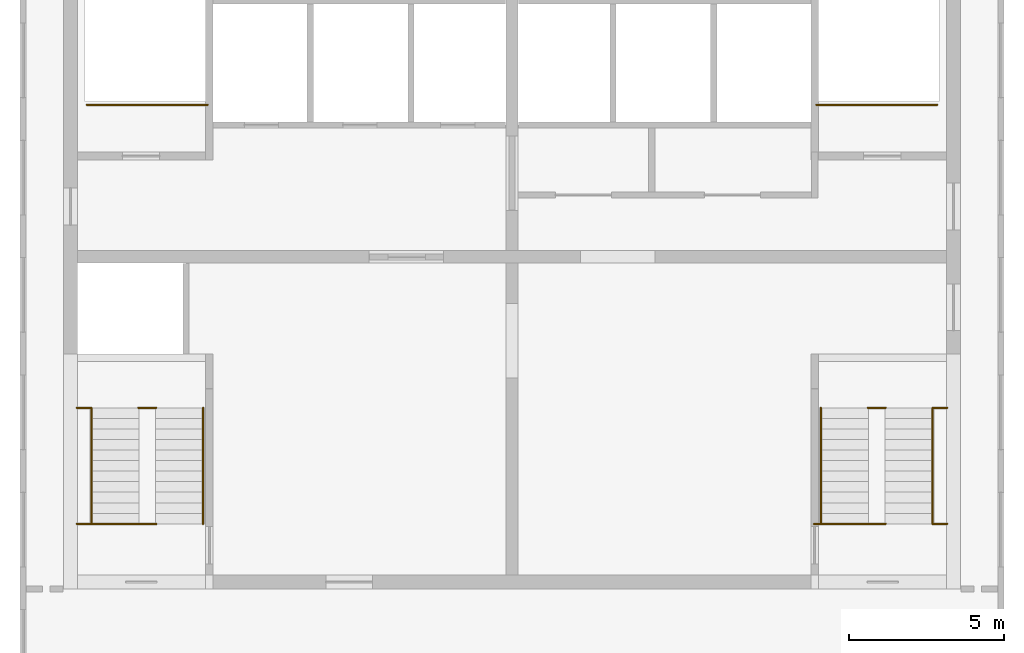
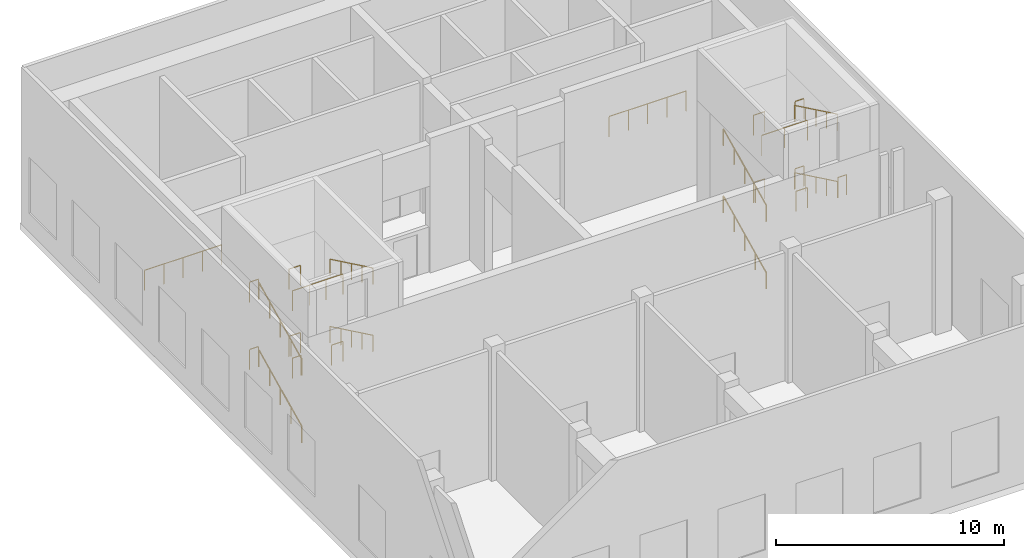
# One storey, part 5 of 5: 24 railings.
"""IFC4 building model written with IfcOpenShell, lengths in metres."""

import ifcopenshell
import ifcopenshell.guid

model = None  # the IFC model being written
_history = None  # IfcOwnerHistory: only IFC2X3 demands one
_inside = {}  # id of a spatial element -> (the spatial element, [elements in it])
_under = {}  # id of a project, library or spatial element -> (it, [spatial elements below it])
_declared = {}  # id of a project -> (the project, [libraries it declares])
_typed = {}  # id of a type object -> (the type object, [elements of that type])
_made_of = {}  # id of a material, layer set ... -> (it, [elements and type objects made of it])


def new_model(schema):
    """Start an empty IFC model of exactly this schema.

    Asked for "IFC4X3", IfcOpenShell would pick the latest addendum, in which some entities
    have other attributes; the version numbers below select the first issue.
    IFC2X3 requires an IfcOwnerHistory on every rooted entity: one is made here for all.
    """
    global model, _history
    if schema == "IFC4X3":
        model = ifcopenshell.file(schema_version=(4, 3, 0, 0))
    else:
        model = ifcopenshell.file(schema=schema)
    _inside.clear()
    _under.clear()
    _declared.clear()
    _typed.clear()
    _made_of.clear()
    _history = None
    if model.schema == "IFC2X3":
        org = make("IfcOrganization", Name="unknown")
        user = make(
            "IfcPersonAndOrganization",
            ThePerson=make("IfcPerson", FamilyName="unknown"),
            TheOrganization=org,
        )
        app = make(
            "IfcApplication",
            ApplicationDeveloper=org,
            Version="unknown",
            ApplicationFullName="unknown",
            ApplicationIdentifier="unknown",
        )
        _history = make(
            "IfcOwnerHistory",
            OwningUser=user,
            OwningApplication=app,
            ChangeAction="ADDED",
            CreationDate=0,
        )
    return model


def make(cls, **values):
    """One entity of the class cls with the attributes given. An attribute that is None is left unset."""
    return model.create_entity(
        cls, **{name: value for name, value in values.items() if value is not None}
    )


def rooted(cls, **values):
    """An entity with a GlobalId (a new one), such as an element, a storey or a relation."""
    return make(cls, GlobalId=ifcopenshell.guid.new(), OwnerHistory=_history, **values)


def si_unit(unit_type, name, prefix=None):
    """IfcSIUnit, for example si_unit("LENGTHUNIT", "METRE", prefix="MILLI")."""
    return make("IfcSIUnit", UnitType=unit_type, Prefix=prefix, Name=name)


def assignment(units):
    """IfcUnitAssignment: the units of a project."""
    return None if units is None else make("IfcUnitAssignment", Units=units)


def point(xyz):
    """IfcCartesianPoint."""
    return None if xyz is None else make("IfcCartesianPoint", Coordinates=xyz)


def direction(xyz):
    """IfcDirection."""
    return None if xyz is None else make("IfcDirection", DirectionRatios=xyz)


def frame(location, z_axis=None, x_axis=None):
    """IfcAxis2Placement3D, a coordinate frame: its origin and axes. An axis left out is left unset."""
    return make(
        "IfcAxis2Placement3D",
        Location=point(location),
        Axis=direction(z_axis),
        RefDirection=direction(x_axis),
    )


def frame_2d(location, x_axis=None):
    """IfcAxis2Placement2D, a coordinate frame in the plane: its origin and x axis."""
    return make(
        "IfcAxis2Placement2D", Location=point(location), RefDirection=direction(x_axis)
    )


def origin():
    """The frame at (0, 0, 0) with its axes left unset."""
    return frame((0.0, 0.0, 0.0))


def origin_2d():
    """The frame at (0, 0) in the plane with its x axis left unset."""
    return frame_2d((0.0, 0.0))


def place(relative_to, where):
    """IfcLocalPlacement: puts the frame where relative to a parent placement (None: the world)."""
    return make(
        "IfcLocalPlacement", PlacementRelTo=relative_to, RelativePlacement=where
    )


def context(
    kind, dimensions, precision=None, world=None, true_north=None, identifier=None
):
    """IfcGeometricRepresentationContext, for example the 3D "Model" context."""
    return make(
        "IfcGeometricRepresentationContext",
        ContextIdentifier=identifier,
        ContextType=kind,
        CoordinateSpaceDimension=dimensions,
        Precision=precision,
        WorldCoordinateSystem=world,
        TrueNorth=true_north,
    )


def subcontext(parent, identifier, kind, view, scale=None):
    """IfcGeometricRepresentationSubContext, for example "Body" below "Model"."""
    return make(
        "IfcGeometricRepresentationSubContext",
        ContextIdentifier=identifier,
        ContextType=kind,
        ParentContext=parent,
        TargetScale=scale,
        TargetView=view,
    )


def project(units=None, contexts=None):
    """IfcProject with its units and contexts."""
    return rooted(
        "IfcProject",
        Name="project",
        RepresentationContexts=contexts,
        UnitsInContext=assignment(units),
    )


def spatial(cls, under=None, at=None, **own):
    """A site, building, storey or space (cls), placed at a placement, below another one or the project."""
    s = rooted(cls, ObjectPlacement=at, **own)
    if under is not None:
        _under.setdefault(under.id(), (under, []))[1].append(s)
    return s


def profile(cls, at=None, kind="AREA", **sizes):
    """A parametric profile (cls). Its sizes go by their IFC names, for example OverallWidth=200.0."""
    return make(cls, ProfileType=kind, Position=at, **sizes)


def circle(**sizes):
    """IfcCircleProfileDef."""
    return profile("IfcCircleProfileDef", **sizes)


def extrude(swept, where, along, depth):
    """IfcExtrudedAreaSolid: the profile swept, set in the frame where, extruded along a direction by depth."""
    return make(
        "IfcExtrudedAreaSolid",
        SweptArea=swept,
        Position=where,
        ExtrudedDirection=direction(along),
        Depth=depth,
    )


def shape(context_of_items, identifier, shape_type, items):
    """IfcShapeRepresentation: the items that make up one representation, for example the "Body"."""
    return make(
        "IfcShapeRepresentation",
        ContextOfItems=context_of_items,
        RepresentationIdentifier=identifier,
        RepresentationType=shape_type,
        Items=items,
    )


def material(Name=None, Category=None):
    """IfcMaterial."""
    return make("IfcMaterial", Name=Name, Category=Category)


def made_of(thing, what):
    """Note that an element or type object is made of a material, layer set ...; save() writes the relation."""
    if what is not None:
        _made_of.setdefault(what.id(), (what, []))[1].append(thing)
    return thing


def type_object(cls, material=None, **own):
    """A type object (cls), such as IfcWallType, which elements share."""
    return made_of(rooted(cls, **own), material)


def element(
    cls,
    number,
    at=None,
    inside=None,
    cuts=None,
    type_object=None,
    material=None,
    context=None,
    identifier="Body",
    shape_type=None,
    held_by="IfcProductDefinitionShape",
    body=None,
    shapes=None,
    **own,
):
    """One element of the class cls, such as IfcWall. Its Tag is "e" and its number.

    at: its placement. inside: the storey or other place that contains it. cuts: it is an
    opening in that element (IfcRelVoidsElement). A single representation is given by context,
    identifier, shape_type and body (its items); several are given by shapes. held_by: the class
    of the entity that holds the representations. save() writes the other relations.
    """
    e = rooted(cls, Tag="e%d" % number, ObjectPlacement=at, **own)
    if body is not None:
        shapes = [shape(context, identifier, shape_type, body)]
    if shapes is not None:
        e.Representation = make(held_by, Representations=shapes)
    if inside is not None:
        _inside.setdefault(inside.id(), (inside, []))[1].append(e)
    if cuts is not None:
        rooted(
            "IfcRelVoidsElement", RelatingBuildingElement=cuts, RelatedOpeningElement=e
        )
    if type_object is not None:
        _typed.setdefault(type_object.id(), (type_object, []))[1].append(e)
    return made_of(e, material)


def aggregate(whole, parts):
    """IfcRelAggregates: a whole, such as a stair, and the parts it consists of."""
    return rooted("IfcRelAggregates", RelatingObject=whole, RelatedObjects=parts)


def save(model, path):
    """Write the relations noted so far, then the file.

    IfcRelAggregates (storeys below a building ...), IfcRelContainedInSpatialStructure (elements
    in a storey), IfcRelDefinesByType, IfcRelAssociatesMaterial and IfcRelDeclares: one each for
    every whole, place, type object, material and project.
    """
    for whole, parts in _under.values():
        aggregate(whole, parts)
    for where, things in _inside.values():
        rooted(
            "IfcRelContainedInSpatialStructure",
            RelatedElements=things,
            RelatingStructure=where,
        )
    for kind, things in _typed.values():
        rooted("IfcRelDefinesByType", RelatedObjects=things, RelatingType=kind)
    for what, things in _made_of.values():
        rooted("IfcRelAssociatesMaterial", RelatedObjects=things, RelatingMaterial=what)
    for by, libraries in _declared.values():
        rooted("IfcRelDeclares", RelatingContext=by, RelatedDefinitions=libraries)
    model.write(path)


model = new_model("IFC4")

# Units and contexts
model_context = context("Model", 3, precision=1e-05, world=origin(), true_north=direction((0.0, 1.0)))
body_context = subcontext(model_context, "Body", "Model", "MODEL_VIEW")
ifc_project = project(units=[si_unit("LENGTHUNIT", "METRE"), si_unit("AREAUNIT", "SQUARE_METRE"), si_unit("VOLUMEUNIT", "CUBIC_METRE"), si_unit("PLANEANGLEUNIT", "RADIAN"), si_unit("MASSUNIT", "GRAM", prefix="KILO")], contexts=[model_context])

# Site, building, storey
site_placement = place(None, origin())
site = spatial("IfcSite", under=ifc_project, at=site_placement, CompositionType="ELEMENT")
building_placement = place(site_placement, origin())
building = spatial("IfcBuilding", under=site, at=building_placement, Name="Pilkhan Gate Tower", CompositionType="ELEMENT")
storey_placement = place(building_placement, frame((0.0, 0.0, 292.699951171875)))
storey = spatial("IfcBuildingStorey", under=building, at=storey_placement, Name="RF", CompositionType="ELEMENT", Elevation=292.699951171875)

# Railings
ifc_material_1 = material(Name="Black powder-coated steel tube", Category="steel")
railing_type_1 = type_object("IfcRailingType", Name="Stair handrail HR1", PredefinedType="HANDRAIL", material=ifc_material_1)
railing_1_placement = place(storey_placement, frame((84.949951171875, 73.89990234375, 0.0)))
element("IfcRailing", 1, at=railing_1_placement, inside=storey, type_object=railing_type_1, Name="Stair ST1 handrail RF", PredefinedType="HANDRAIL", context=body_context, shape_type="SweptSolid", body=[
    extrude(circle(Radius=0.02392578125, at=origin_2d()), frame((0.0, 0.0, 0.8759765625), z_axis=(0.0, 0.901066375035, 0.433681205244), x_axis=(-1.0, 0.0, 0.0)), (0.0, 0.0, 1.0), 4.150634765625),
    extrude(circle(Radius=0.02099609375, at=origin_2d()), origin(), (0.0, 0.0, 1.0), 0.851806640625),
    extrude(circle(Radius=0.02099609375, at=origin_2d()), frame((0.0, 0.93505859375, 0.449951171875)), (0.0, 0.0, 1.0), 0.851806640625),
    extrude(circle(Radius=0.02099609375, at=origin_2d()), frame((0.0, 1.8701171875, 0.89990234375)), (0.0, 0.0, 1.0), 0.851806640625),
    extrude(circle(Radius=0.02099609375, at=origin_2d()), frame((0.0, 2.804931640625, 1.35009765625)), (0.0, 0.0, 1.0), 0.851806640625),
    extrude(circle(Radius=0.02099609375, at=origin_2d()), frame((0.0, 3.739990234375, 1.800048828125)), (0.0, 0.0, 1.0), 0.851806640625),
])
railing_2_placement = place(storey_placement, frame((88.550048828125, 77.639892578125, 1.800048828125)))
element("IfcRailing", 2, at=railing_2_placement, inside=storey, type_object=railing_type_1, Name="Stair ST1 handrail RF", PredefinedType="HANDRAIL", context=body_context, shape_type="SweptSolid", body=[
    extrude(circle(Radius=0.02392578125, at=origin_2d()), frame((0.0, 0.0, 0.8759765625), z_axis=(0.0, -0.901066375035, 0.433681205244), x_axis=(1.0, 0.0, 0.0)), (0.0, 0.0, 1.0), 4.150634765625),
    extrude(circle(Radius=0.02099609375, at=origin_2d()), origin(), (0.0, 0.0, 1.0), 0.851806640625),
    extrude(circle(Radius=0.02099609375, at=origin_2d()), frame((0.0, -0.93505859375, 0.449951171875)), (0.0, 0.0, 1.0), 0.851806640625),
    extrude(circle(Radius=0.02099609375, at=origin_2d()), frame((0.0, -1.8701171875, 0.89990234375)), (0.0, 0.0, 1.0), 0.851806640625),
    extrude(circle(Radius=0.02099609375, at=origin_2d()), frame((0.0, -2.804931640625, 1.35009765625)), (0.0, 0.0, 1.0), 0.851806640625),
    extrude(circle(Radius=0.02099609375, at=origin_2d()), frame((0.0, -3.739990234375, 1.800048828125)), (0.0, 0.0, 1.0), 0.851806640625),
])
railing_3_placement = place(storey_placement, frame((84.949951171875, 73.89990234375, 3.60009765625)))
element("IfcRailing", 3, at=railing_3_placement, inside=storey, type_object=railing_type_1, Name="Stair ST1 handrail RF", PredefinedType="HANDRAIL", context=body_context, shape_type="SweptSolid", body=[
    extrude(circle(Radius=0.02392578125, at=origin_2d()), frame((0.0, 0.0, 0.8759765625), z_axis=(0.0, 0.901066375035, 0.433681205244), x_axis=(-1.0, 0.0, 0.0)), (0.0, 0.0, 1.0), 4.150634765625),
    extrude(circle(Radius=0.02099609375, at=origin_2d()), origin(), (0.0, 0.0, 1.0), 0.851806640625),
    extrude(circle(Radius=0.02099609375, at=origin_2d()), frame((0.0, 0.93505859375, 0.449951171875)), (0.0, 0.0, 1.0), 0.851806640625),
    extrude(circle(Radius=0.02099609375, at=origin_2d()), frame((0.0, 1.8701171875, 0.89990234375)), (0.0, 0.0, 1.0), 0.851806640625),
    extrude(circle(Radius=0.02099609375, at=origin_2d()), frame((0.0, 2.804931640625, 1.35009765625)), (0.0, 0.0, 1.0), 0.851806640625),
    extrude(circle(Radius=0.02099609375, at=origin_2d()), frame((0.0, 3.739990234375, 1.800048828125)), (0.0, 0.0, 1.0), 0.851806640625),
])
railing_4_placement = place(storey_placement, frame((88.550048828125, 77.639892578125, 5.400146484375)))
element("IfcRailing", 4, at=railing_4_placement, inside=storey, type_object=railing_type_1, Name="Stair ST1 handrail RF", PredefinedType="HANDRAIL", context=body_context, shape_type="SweptSolid", body=[
    extrude(circle(Radius=0.02392578125, at=origin_2d()), frame((0.0, 0.0, 0.8759765625), z_axis=(0.0, -0.901089359845, 0.433633446098), x_axis=(1.0, 0.0, 0.0)), (0.0, 0.0, 1.0), 4.150634765625),
    extrude(circle(Radius=0.02099609375, at=origin_2d()), origin(), (0.0, 0.0, 1.0), 0.851806640625),
    extrude(circle(Radius=0.02099609375, at=origin_2d()), frame((0.0, -0.93505859375, 0.449951171875)), (0.0, 0.0, 1.0), 0.851806640625),
    extrude(circle(Radius=0.02099609375, at=origin_2d()), frame((0.0, -1.8701171875, 0.89990234375)), (0.0, 0.0, 1.0), 0.851806640625),
    extrude(circle(Radius=0.02099609375, at=origin_2d()), frame((0.0, -2.804931640625, 1.349853515625)), (0.0, 0.0, 1.0), 0.851806640625),
    extrude(circle(Radius=0.02099609375, at=origin_2d()), frame((0.0, -3.739990234375, 1.7998046875)), (0.0, 0.0, 1.0), 0.851806640625),
])
railing_5_placement = place(storey_placement, frame((61.449951171875, 73.89990234375, 0.0)))
element("IfcRailing", 5, at=railing_5_placement, inside=storey, type_object=railing_type_1, Name="Stair ST2 handrail RF", PredefinedType="HANDRAIL", context=body_context, shape_type="SweptSolid", body=[
    extrude(circle(Radius=0.02392578125, at=origin_2d()), frame((0.0, 0.0, 0.8759765625), z_axis=(0.0, 0.901066375035, 0.433681205244), x_axis=(-1.0, 0.0, 0.0)), (0.0, 0.0, 1.0), 4.150634765625),
    extrude(circle(Radius=0.02099609375, at=origin_2d()), origin(), (0.0, 0.0, 1.0), 0.851806640625),
    extrude(circle(Radius=0.02099609375, at=origin_2d()), frame((0.0, 0.93505859375, 0.449951171875)), (0.0, 0.0, 1.0), 0.851806640625),
    extrude(circle(Radius=0.02099609375, at=origin_2d()), frame((0.0, 1.8701171875, 0.89990234375)), (0.0, 0.0, 1.0), 0.851806640625),
    extrude(circle(Radius=0.02099609375, at=origin_2d()), frame((0.0, 2.804931640625, 1.35009765625)), (0.0, 0.0, 1.0), 0.851806640625),
    extrude(circle(Radius=0.02099609375, at=origin_2d()), frame((0.0, 3.739990234375, 1.800048828125)), (0.0, 0.0, 1.0), 0.851806640625),
])
railing_6_placement = place(storey_placement, frame((65.050048828125, 77.639892578125, 1.800048828125)))
element("IfcRailing", 6, at=railing_6_placement, inside=storey, type_object=railing_type_1, Name="Stair ST2 handrail RF", PredefinedType="HANDRAIL", context=body_context, shape_type="SweptSolid", body=[
    extrude(circle(Radius=0.02392578125, at=origin_2d()), frame((0.0, 0.0, 0.8759765625), z_axis=(0.0, -0.901066375035, 0.433681205244), x_axis=(1.0, 0.0, 0.0)), (0.0, 0.0, 1.0), 4.150634765625),
    extrude(circle(Radius=0.02099609375, at=origin_2d()), origin(), (0.0, 0.0, 1.0), 0.851806640625),
    extrude(circle(Radius=0.02099609375, at=origin_2d()), frame((0.0, -0.93505859375, 0.449951171875)), (0.0, 0.0, 1.0), 0.851806640625),
    extrude(circle(Radius=0.02099609375, at=origin_2d()), frame((0.0, -1.8701171875, 0.89990234375)), (0.0, 0.0, 1.0), 0.851806640625),
    extrude(circle(Radius=0.02099609375, at=origin_2d()), frame((0.0, -2.804931640625, 1.35009765625)), (0.0, 0.0, 1.0), 0.851806640625),
    extrude(circle(Radius=0.02099609375, at=origin_2d()), frame((0.0, -3.739990234375, 1.800048828125)), (0.0, 0.0, 1.0), 0.851806640625),
])
railing_7_placement = place(storey_placement, frame((61.449951171875, 73.89990234375, 3.60009765625)))
element("IfcRailing", 7, at=railing_7_placement, inside=storey, type_object=railing_type_1, Name="Stair ST2 handrail RF", PredefinedType="HANDRAIL", context=body_context, shape_type="SweptSolid", body=[
    extrude(circle(Radius=0.02392578125, at=origin_2d()), frame((0.0, 0.0, 0.8759765625), z_axis=(0.0, 0.901066375035, 0.433681205244), x_axis=(-1.0, 0.0, 0.0)), (0.0, 0.0, 1.0), 4.150634765625),
    extrude(circle(Radius=0.02099609375, at=origin_2d()), origin(), (0.0, 0.0, 1.0), 0.851806640625),
    extrude(circle(Radius=0.02099609375, at=origin_2d()), frame((0.0, 0.93505859375, 0.449951171875)), (0.0, 0.0, 1.0), 0.851806640625),
    extrude(circle(Radius=0.02099609375, at=origin_2d()), frame((0.0, 1.8701171875, 0.89990234375)), (0.0, 0.0, 1.0), 0.851806640625),
    extrude(circle(Radius=0.02099609375, at=origin_2d()), frame((0.0, 2.804931640625, 1.35009765625)), (0.0, 0.0, 1.0), 0.851806640625),
    extrude(circle(Radius=0.02099609375, at=origin_2d()), frame((0.0, 3.739990234375, 1.800048828125)), (0.0, 0.0, 1.0), 0.851806640625),
])
railing_8_placement = place(storey_placement, frame((65.050048828125, 77.639892578125, 5.400146484375)))
element("IfcRailing", 8, at=railing_8_placement, inside=storey, type_object=railing_type_1, Name="Stair ST2 handrail RF", PredefinedType="HANDRAIL", context=body_context, shape_type="SweptSolid", body=[
    extrude(circle(Radius=0.02392578125, at=origin_2d()), frame((0.0, 0.0, 0.8759765625), z_axis=(0.0, -0.901089359845, 0.433633446098), x_axis=(1.0, 0.0, 0.0)), (0.0, 0.0, 1.0), 4.150634765625),
    extrude(circle(Radius=0.02099609375, at=origin_2d()), origin(), (0.0, 0.0, 1.0), 0.851806640625),
    extrude(circle(Radius=0.02099609375, at=origin_2d()), frame((0.0, -0.93505859375, 0.449951171875)), (0.0, 0.0, 1.0), 0.851806640625),
    extrude(circle(Radius=0.02099609375, at=origin_2d()), frame((0.0, -1.8701171875, 0.89990234375)), (0.0, 0.0, 1.0), 0.851806640625),
    extrude(circle(Radius=0.02099609375, at=origin_2d()), frame((0.0, -2.804931640625, 1.349853515625)), (0.0, 0.0, 1.0), 0.851806640625),
    extrude(circle(Radius=0.02099609375, at=origin_2d()), frame((0.0, -3.739990234375, 1.7998046875)), (0.0, 0.0, 1.0), 0.851806640625),
])
ifc_material_2 = material(Name="Black powder-coated steel balusters", Category="steel")
railing_type_2 = type_object("IfcRailingType", Name="Stair well guard G3", PredefinedType="GUARDRAIL", material=ifc_material_2)
for number, where, name in (
    (9, (88.580078125, 77.639892578125, 1.800048828125), "Stair ST1 well guard RF"),
    (10, (88.580078125, 73.89990234375, 3.60009765625), "Stair ST1 well guard RF"),
    (11, (88.580078125, 77.639892578125, 5.400146484375), "Stair ST1 well guard RF"),
):
    element("IfcRailing", number, at=place(storey_placement, frame(where)), inside=storey, type_object=railing_type_2, Name=name, PredefinedType="GUARDRAIL", context=body_context, shape_type="SweptSolid", body=[
        extrude(circle(Radius=0.02392578125, at=origin_2d()), frame((0.0, 0.0, 1.076171875), z_axis=(1.0, 0.0, 0.0), x_axis=(0.0, 1.0, 0.0)), (0.0, 0.0, 1.0), 0.43994140625),
        extrude(circle(Radius=0.02099609375, at=origin_2d()), origin(), (0.0, 0.0, 1.0), 1.052001953125),
        extrude(circle(Radius=0.02099609375, at=origin_2d()), frame((0.43994140625, 0.0, 0.0)), (0.0, 0.0, 1.0), 1.052001953125),
    ])
for number, where, name in (
    (12, (86.4599609375, 77.639892578125, 1.800048828125), "Stair ST1 well guard RF"),
    (13, (86.4599609375, 73.89990234375, 3.60009765625), "Stair ST1 well guard RF"),
    (14, (86.4599609375, 77.639892578125, 5.400146484375), "Stair ST1 well guard RF"),
):
    element("IfcRailing", number, at=place(storey_placement, frame(where)), inside=storey, type_object=railing_type_2, Name=name, PredefinedType="GUARDRAIL", context=body_context, shape_type="SweptSolid", body=[
        extrude(circle(Radius=0.02392578125, at=origin_2d()), frame((0.0, 0.0, 1.076171875), z_axis=(1.0, 0.0, 0.0), x_axis=(0.0, 1.0, 0.0)), (0.0, 0.0, 1.0), 0.580078125),
        extrude(circle(Radius=0.02099609375, at=origin_2d()), origin(), (0.0, 0.0, 1.0), 1.052001953125),
        extrude(circle(Radius=0.02099609375, at=origin_2d()), frame((0.580078125, 0.0, 0.0)), (0.0, 0.0, 1.0), 1.052001953125),
    ])
railing_9_placement = place(storey_placement, frame((84.72998046875, 73.89990234375, 7.199951171875)))
element("IfcRailing", 15, at=railing_9_placement, inside=storey, type_object=railing_type_2, Name="Stair ST1 well guard RF", PredefinedType="GUARDRAIL", context=body_context, shape_type="SweptSolid", body=[
    extrude(circle(Radius=0.02392578125, at=origin_2d()), frame((0.0, 0.0, 1.076171875), z_axis=(1.0, 0.0, 0.0), x_axis=(0.0, 1.0, 0.0)), (0.0, 0.0, 1.0), 2.31005859375),
    extrude(circle(Radius=0.02099609375, at=origin_2d()), origin(), (0.0, 0.0, 1.0), 1.052001953125),
    extrude(circle(Radius=0.02099609375, at=origin_2d()), frame((1.155029296875, 0.0, 0.0)), (0.0, 0.0, 1.0), 1.052001953125),
    extrude(circle(Radius=0.02099609375, at=origin_2d()), frame((2.31005859375, 0.0, 0.0)), (0.0, 0.0, 1.0), 1.052001953125),
])
for number, where, name in (
    (16, (60.97998046875, 77.639892578125, 1.800048828125), "Stair ST2 well guard RF"),
    (17, (60.97998046875, 73.89990234375, 3.60009765625), "Stair ST2 well guard RF"),
    (18, (60.97998046875, 77.639892578125, 5.400146484375), "Stair ST2 well guard RF"),
):
    element("IfcRailing", number, at=place(storey_placement, frame(where)), inside=storey, type_object=railing_type_2, Name=name, PredefinedType="GUARDRAIL", context=body_context, shape_type="SweptSolid", body=[
        extrude(circle(Radius=0.02392578125, at=origin_2d()), frame((0.0, 0.0, 1.076171875), z_axis=(1.0, 0.0, 0.0), x_axis=(0.0, 1.0, 0.0)), (0.0, 0.0, 1.0), 0.43994140625),
        extrude(circle(Radius=0.02099609375, at=origin_2d()), origin(), (0.0, 0.0, 1.0), 1.052001953125),
        extrude(circle(Radius=0.02099609375, at=origin_2d()), frame((0.43994140625, 0.0, 0.0)), (0.0, 0.0, 1.0), 1.052001953125),
    ])
for number, where, name in (
    (19, (62.9599609375, 77.639892578125, 1.800048828125), "Stair ST2 well guard RF"),
    (20, (62.9599609375, 73.89990234375, 3.60009765625), "Stair ST2 well guard RF"),
    (21, (62.9599609375, 77.639892578125, 5.400146484375), "Stair ST2 well guard RF"),
):
    element("IfcRailing", number, at=place(storey_placement, frame(where)), inside=storey, type_object=railing_type_2, Name=name, PredefinedType="GUARDRAIL", context=body_context, shape_type="SweptSolid", body=[
        extrude(circle(Radius=0.02392578125, at=origin_2d()), frame((0.0, 0.0, 1.076171875), z_axis=(1.0, 0.0, 0.0), x_axis=(0.0, 1.0, 0.0)), (0.0, 0.0, 1.0), 0.580078125),
        extrude(circle(Radius=0.02099609375, at=origin_2d()), origin(), (0.0, 0.0, 1.0), 1.052001953125),
        extrude(circle(Radius=0.02099609375, at=origin_2d()), frame((0.580078125, 0.0, 0.0)), (0.0, 0.0, 1.0), 1.052001953125),
    ])
railing_10_placement = place(storey_placement, frame((60.97998046875, 73.89990234375, 7.199951171875)))
element("IfcRailing", 22, at=railing_10_placement, inside=storey, type_object=railing_type_2, Name="Stair ST2 well guard RF", PredefinedType="GUARDRAIL", context=body_context, shape_type="SweptSolid", body=[
    extrude(circle(Radius=0.02392578125, at=origin_2d()), frame((0.0, 0.0, 1.076171875), z_axis=(1.0, 0.0, 0.0), x_axis=(0.0, 1.0, 0.0)), (0.0, 0.0, 1.0), 2.56005859375),
    extrude(circle(Radius=0.02099609375, at=origin_2d()), origin(), (0.0, 0.0, 1.0), 1.052001953125),
    extrude(circle(Radius=0.02099609375, at=origin_2d()), frame((0.853271484375, 0.0, 0.0)), (0.0, 0.0, 1.0), 1.052001953125),
    extrude(circle(Radius=0.02099609375, at=origin_2d()), frame((1.706787109375, 0.0, 0.0)), (0.0, 0.0, 1.0), 1.052001953125),
    extrude(circle(Radius=0.02099609375, at=origin_2d()), frame((2.56005859375, 0.0, 0.0)), (0.0, 0.0, 1.0), 1.052001953125),
])
for number, where, name in (
    (23, (61.300048828125, 87.39990234375, 0.0), "Stair ST3 well guard RF"),
    (24, (84.800048828125, 87.39990234375, 0.0), "Stair ST4 well guard RF"),
):
    element("IfcRailing", number, at=place(storey_placement, frame(where)), inside=storey, type_object=railing_type_2, Name=name, PredefinedType="GUARDRAIL", context=body_context, shape_type="SweptSolid", body=[
        extrude(circle(Radius=0.02392578125, at=origin_2d()), frame((0.0, 0.0, 1.076171875), z_axis=(1.0, 0.0, 0.0), x_axis=(0.0, 1.0, 0.0)), (0.0, 0.0, 1.0), 3.89990234375),
        extrude(circle(Radius=0.02099609375, at=origin_2d()), origin(), (0.0, 0.0, 1.0), 1.052001953125),
        extrude(circle(Radius=0.02099609375, at=origin_2d()), frame((0.97509765625, 0.0, 0.0)), (0.0, 0.0, 1.0), 1.052001953125),
        extrude(circle(Radius=0.02099609375, at=origin_2d()), frame((1.949951171875, 0.0, 0.0)), (0.0, 0.0, 1.0), 1.052001953125),
        extrude(circle(Radius=0.02099609375, at=origin_2d()), frame((2.9248046875, 0.0, 0.0)), (0.0, 0.0, 1.0), 1.052001953125),
        extrude(circle(Radius=0.02099609375, at=origin_2d()), frame((3.89990234375, 0.0, 0.0)), (0.0, 0.0, 1.0), 1.052001953125),
    ])

save(model, "model.ifc")
